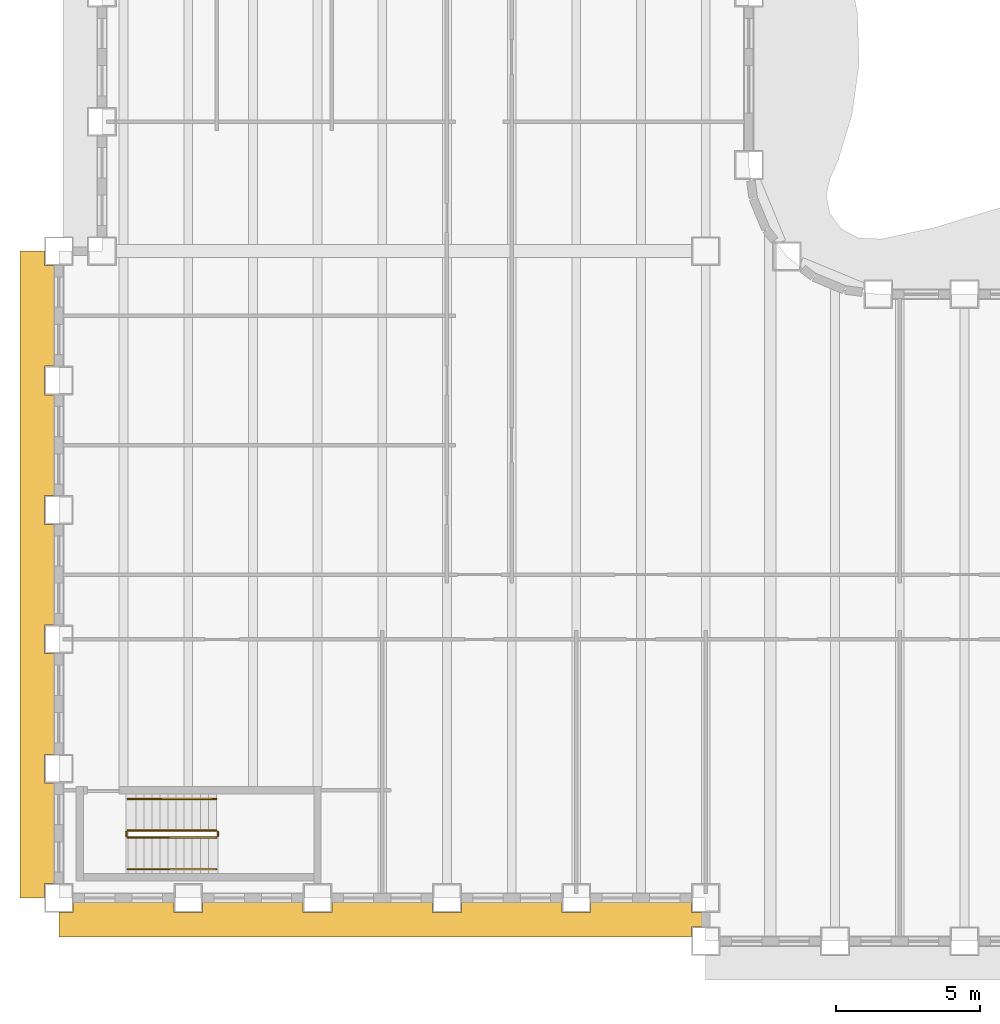
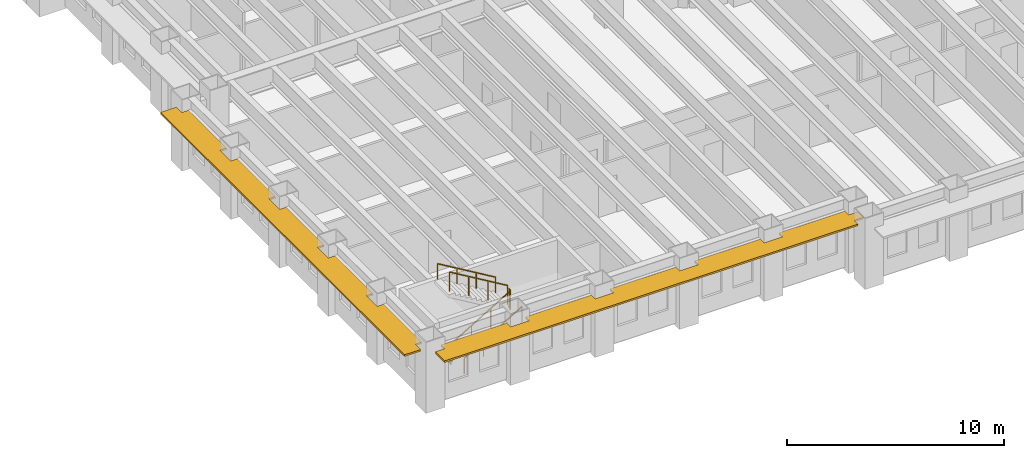
# One storey, part 11 of 16: 6 railings, 2 shading devices.
"""IFC4 building model written with IfcOpenShell, lengths in metres."""

from ifc_helpers import new_model, si_unit, direction, frame, origin, origin_2d, place, context, subcontext, project, spatial, polyline, rectangle, outline, extrude, material, layer, layer_set, type_object, element, save


model = new_model("IFC4")

# Units and contexts
model_context = context("Model", 3, precision=1e-05, world=origin(), true_north=direction((0.0, 1.0)))
body_context = subcontext(model_context, "Body", "Model", "MODEL_VIEW")
ifc_project = project(units=[si_unit("LENGTHUNIT", "METRE"), si_unit("AREAUNIT", "SQUARE_METRE"), si_unit("VOLUMEUNIT", "CUBIC_METRE"), si_unit("PLANEANGLEUNIT", "RADIAN"), si_unit("MASSUNIT", "GRAM", prefix="KILO")], contexts=[model_context])

# Site, building, storey
site_placement = place(None, origin())
site = spatial("IfcSite", under=ifc_project, at=site_placement, CompositionType="ELEMENT")
building_placement = place(site_placement, origin())
building = spatial("IfcBuilding", under=site, at=building_placement, Name="Sennacour Bend Tower", CompositionType="ELEMENT")
storey_placement = place(building_placement, frame((0.0, 0.0, 99.0)))
storey = spatial("IfcBuildingStorey", under=building, at=storey_placement, Name="L22", CompositionType="ELEMENT", Elevation=99.0)

# Railings
ifc_material_1 = material(Name="Stainless steel", Category="steel")
railing_type_1 = type_object("IfcRailingType", Name="RL-GUARD-1100", PredefinedType="GUARDRAIL", material=ifc_material_1)
railing_1_placement = place(storey_placement, frame((2.39990234375, 2.10009765625, 0.166748046875)))
element("IfcRailing", 1, at=railing_1_placement, inside=storey, type_object=railing_type_1, Name="L22 SK1 stair guard 1", PredefinedType="GUARDRAIL", context=body_context, shape_type="SweptSolid", body=[
    extrude(rectangle(XDim=0.048095703125, YDim=0.048095703125, at=origin_2d()), frame((0.0, 0.0, 1.076171875), z_axis=(0.859308565015, 0.0, 0.511457515432), x_axis=(0.0, 1.0, 0.0)), (0.0, 0.0, 1.0), 3.58447265625),
    extrude(rectangle(XDim=0.0419921875, YDim=0.0419921875, at=origin_2d()), origin(), (0.0, 0.0, 1.0), 1.052001953125),
    extrude(rectangle(XDim=0.0419921875, YDim=0.0419921875, at=origin_2d()), frame((1.026611328125, 0.0, 0.611083984375)), (0.0, 0.0, 1.0), 1.052001953125),
    extrude(rectangle(XDim=0.0419921875, YDim=0.0419921875, at=origin_2d()), frame((2.053466796875, 0.0, 1.22216796875)), (0.0, 0.0, 1.0), 1.052001953125),
    extrude(rectangle(XDim=0.0419921875, YDim=0.0419921875, at=origin_2d()), frame((3.080078125, 0.0, 1.833251953125)), (0.0, 0.0, 1.0), 1.052001953125),
])
railing_2_placement = place(storey_placement, frame((5.530029296875, 2.14990234375, 2.0)))
element("IfcRailing", 2, at=railing_2_placement, inside=storey, type_object=railing_type_1, Name="L22 SK1 stair guard 2", PredefinedType="GUARDRAIL", context=body_context, shape_type="SweptSolid", body=[
    extrude(rectangle(XDim=0.048095703125, YDim=0.048095703125, at=origin_2d()), frame((0.0, 0.0, 1.076171875), z_axis=(0.0, 1.0, 0.0), x_axis=(-1.0, 0.0, 0.0)), (0.0, 0.0, 1.0), 0.150146484375),
    extrude(rectangle(XDim=0.0419921875, YDim=0.0419921875, at=origin_2d()), origin(), (0.0, 0.0, 1.0), 1.052001953125),
    extrude(rectangle(XDim=0.0419921875, YDim=0.0419921875, at=origin_2d()), frame((0.0, 0.150146484375, 0.0)), (0.0, 0.0, 1.0), 1.052001953125),
])
railing_3_placement = place(storey_placement, frame((5.47998046875, 2.35009765625, 2.166748046875)))
element("IfcRailing", 3, at=railing_3_placement, inside=storey, type_object=railing_type_1, Name="L22 SK1 stair guard 3", PredefinedType="GUARDRAIL", context=body_context, shape_type="SweptSolid", body=[
    extrude(rectangle(XDim=0.048095703125, YDim=0.048095703125, at=origin_2d()), frame((0.0, 0.0, 1.076171875), z_axis=(-0.859308565015, 0.0, 0.511457515432), x_axis=(0.0, -1.0, 0.0)), (0.0, 0.0, 1.0), 3.58447265625),
    extrude(rectangle(XDim=0.0419921875, YDim=0.0419921875, at=origin_2d()), origin(), (0.0, 0.0, 1.0), 1.052001953125),
    extrude(rectangle(XDim=0.0419921875, YDim=0.0419921875, at=origin_2d()), frame((-1.026611328125, 0.0, 0.611083984375)), (0.0, 0.0, 1.0), 1.052001953125),
    extrude(rectangle(XDim=0.0419921875, YDim=0.0419921875, at=origin_2d()), frame((-2.053466796875, 0.0, 1.22216796875)), (0.0, 0.0, 1.0), 1.052001953125),
    extrude(rectangle(XDim=0.0419921875, YDim=0.0419921875, at=origin_2d()), frame((-3.080078125, 0.0, 1.833251953125)), (0.0, 0.0, 1.0), 1.052001953125),
])
railing_4_placement = place(storey_placement, frame((2.35009765625, 2.14990234375, 0.0)))
element("IfcRailing", 4, at=railing_4_placement, inside=storey, type_object=railing_type_1, Name="L22 SK1 stair guard 4", PredefinedType="GUARDRAIL", context=body_context, shape_type="SweptSolid", body=[
    extrude(rectangle(XDim=0.048095703125, YDim=0.048095703125, at=origin_2d()), frame((0.0, 0.0, 1.076171875), z_axis=(0.0, 1.0, 0.0), x_axis=(-1.0, 0.0, 0.0)), (0.0, 0.0, 1.0), 0.150146484375),
    extrude(rectangle(XDim=0.0419921875, YDim=0.0419921875, at=origin_2d()), origin(), (0.0, 0.0, 1.0), 1.052001953125),
    extrude(rectangle(XDim=0.0419921875, YDim=0.0419921875, at=origin_2d()), frame((0.0, 0.150146484375, 0.0)), (0.0, 0.0, 1.0), 1.052001953125),
])
railing_type_2 = type_object("IfcRailingType", Name="RL-HANDRAIL-900", PredefinedType="HANDRAIL", material=ifc_material_1)
railing_5_placement = place(storey_placement, frame((2.39990234375, 1.0, 0.166748046875)))
element("IfcRailing", 5, at=railing_5_placement, inside=storey, type_object=railing_type_2, Name="L22 SK1 stair handrail 1", PredefinedType="HANDRAIL", context=body_context, shape_type="SweptSolid", body=[
    extrude(rectangle(XDim=0.048095703125, YDim=0.048095703125, at=origin_2d()), frame((0.0, 0.0, 0.8759765625), z_axis=(0.859308565015, 0.0, 0.511457515432), x_axis=(0.0, 1.0, 0.0)), (0.0, 0.0, 1.0), 3.58447265625),
    extrude(rectangle(XDim=0.0419921875, YDim=0.0419921875, at=origin_2d()), origin(), (0.0, 0.0, 1.0), 0.851806640625),
    extrude(rectangle(XDim=0.0419921875, YDim=0.0419921875, at=origin_2d()), frame((1.026611328125, 0.0, 0.611083984375)), (0.0, 0.0, 1.0), 0.851806640625),
    extrude(rectangle(XDim=0.0419921875, YDim=0.0419921875, at=origin_2d()), frame((2.053466796875, 0.0, 1.22216796875)), (0.0, 0.0, 1.0), 0.851806640625),
    extrude(rectangle(XDim=0.0419921875, YDim=0.0419921875, at=origin_2d()), frame((3.080078125, 0.0, 1.833251953125)), (0.0, 0.0, 1.0), 0.851806640625),
])
railing_6_placement = place(storey_placement, frame((5.47998046875, 3.449951171875, 2.166748046875)))
element("IfcRailing", 6, at=railing_6_placement, inside=storey, type_object=railing_type_2, Name="L22 SK1 stair handrail 2", PredefinedType="HANDRAIL", context=body_context, shape_type="SweptSolid", body=[
    extrude(rectangle(XDim=0.048095703125, YDim=0.048095703125, at=origin_2d()), frame((0.0, 0.0, 0.8759765625), z_axis=(-0.859308565015, 0.0, 0.511457515432), x_axis=(0.0, -1.0, 0.0)), (0.0, 0.0, 1.0), 3.58447265625),
    extrude(rectangle(XDim=0.0419921875, YDim=0.0419921875, at=origin_2d()), origin(), (0.0, 0.0, 1.0), 0.851806640625),
    extrude(rectangle(XDim=0.0419921875, YDim=0.0419921875, at=origin_2d()), frame((-1.026611328125, 0.0, 0.611083984375)), (0.0, 0.0, 1.0), 0.851806640625),
    extrude(rectangle(XDim=0.0419921875, YDim=0.0419921875, at=origin_2d()), frame((-2.053466796875, 0.0, 1.22216796875)), (0.0, 0.0, 1.0), 0.851806640625),
    extrude(rectangle(XDim=0.0419921875, YDim=0.0419921875, at=origin_2d()), frame((-3.080078125, 0.0, 1.833251953125)), (0.0, 0.0, 1.0), 0.851806640625),
])

# Shading devices
ifc_material_2 = material(Name="Bronze anodised aluminium", Category="aluminium")
ifc_layer = layer(ifc_material_2, 0.10009765625, Name="Bronze anodised aluminium", Category="aluminium")
ifc_layer_set = layer_set([ifc_layer], Name="Bronze anodised aluminium")
shading_device_type = type_object("IfcShadingDeviceType", Name="SUNSHADE BAND STRAIGHT", PredefinedType="USERDEFINED", material=ifc_layer_set)
shading_device_1_placement = place(storey_placement, frame((0.0, 0.0, 3.053955078125)))
element("IfcShadingDevice", 7, at=shading_device_1_placement, inside=storey, type_object=shading_device_type, Name="Sunshade band L22 K outer face", ObjectType="SUNSHADE", PredefinedType="USERDEFINED", context=body_context, shape_type="SweptSolid", body=[
    extrude(outline(polyline([(-0.14990234375, 18.5), (-0.5, 18.5), (-0.5, 17.5), (-0.14990234375, 17.5), (-0.14990234375, 14.0), (-0.5, 14.0), (-0.5, 13.0), (-0.14990234375, 13.0), (-0.14990234375, 9.5), (-0.5, 9.5), (-0.5, 8.5), (-0.14990234375, 8.5), (-0.14990234375, 5.0), (-0.5, 5.0), (-0.5, 4.0), (-0.14990234375, 4.0), (-0.14990234375, 0.5), (-0.5, 0.5), (-0.5, 0.0), (-1.35009765625, 0.0), (-1.35009765625, 22.5), (-0.5, 22.5), (-0.5, 22.0), (-0.14990234375, 22.0), (-0.14990234375, 18.5)])), origin(), (0.0, 0.0, 1.0), 0.10009765625),
])
shading_device_2_placement = place(storey_placement, frame((0.0, 0.0, 3.053955078125)))
element("IfcShadingDevice", 8, at=shading_device_2_placement, inside=storey, type_object=shading_device_type, Name="Sunshade band L22 K outer face", ObjectType="SUNSHADE", PredefinedType="USERDEFINED", context=body_context, shape_type="SweptSolid", body=[
    extrude(outline(polyline([(4.0, -0.14990234375), (4.0, -0.5), (5.0, -0.5), (5.0, -0.14990234375), (8.5, -0.14990234375), (8.5, -0.5), (9.5, -0.5), (9.5, -0.14990234375), (13.0, -0.14990234375), (13.0, -0.5), (14.0, -0.5), (14.0, -0.14990234375), (17.5, -0.14990234375), (17.5, -0.5), (18.5, -0.5), (18.5, -0.14990234375), (22.0, -0.14990234375), (22.0, -0.5), (22.5, -0.5), (22.5, -1.0), (22.0, -1.0), (22.0, -1.35009765625), (0.0, -1.35009765625), (0.0, -0.5), (0.5, -0.5), (0.5, -0.14990234375), (4.0, -0.14990234375)])), origin(), (0.0, 0.0, 1.0), 0.10009765625),
])

save(model, "model.ifc")
